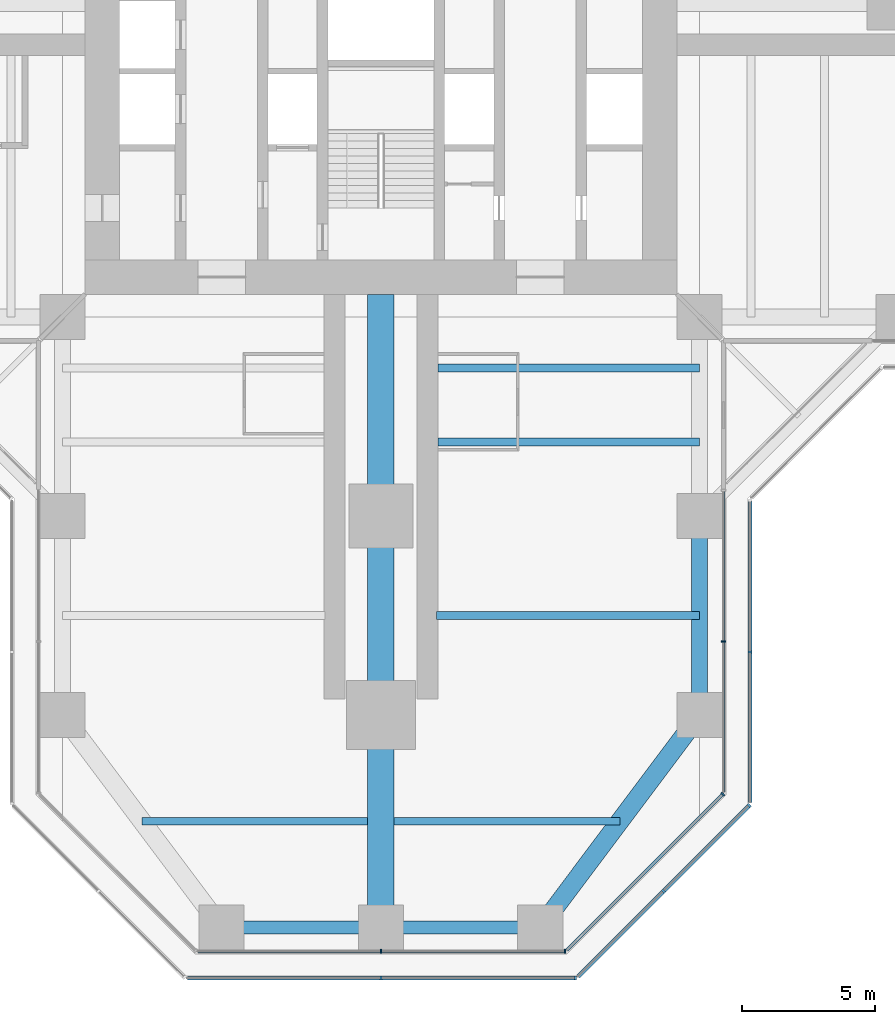
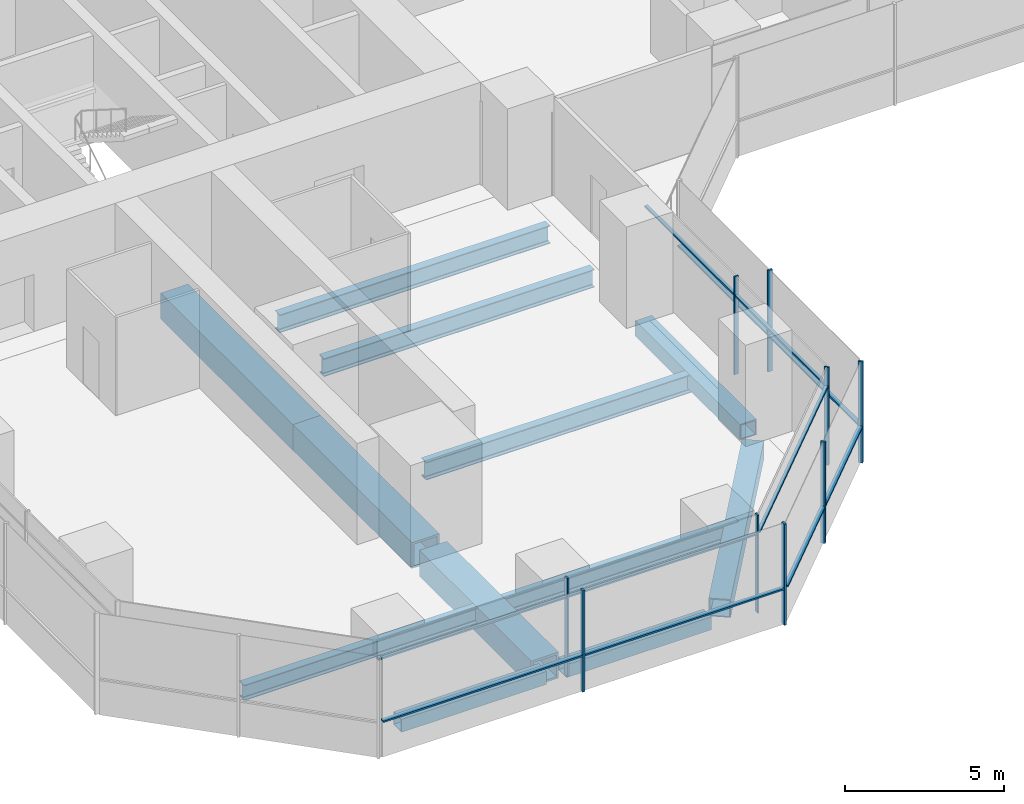
# One storey, part 5 of 22: 20 members, 12 beams, 6 elements without a shape of their own.
"""IFC4 building model written with IfcOpenShell, lengths in metres."""

import ifcopenshell
import ifcopenshell.guid

model = None  # the IFC model being written
_history = None  # IfcOwnerHistory: only IFC2X3 demands one
_inside = {}  # id of a spatial element -> (the spatial element, [elements in it])
_under = {}  # id of a project, library or spatial element -> (it, [spatial elements below it])
_declared = {}  # id of a project -> (the project, [libraries it declares])
_typed = {}  # id of a type object -> (the type object, [elements of that type])
_made_of = {}  # id of a material, layer set ... -> (it, [elements and type objects made of it])


def new_model(schema):
    """Start an empty IFC model of exactly this schema.

    Asked for "IFC4X3", IfcOpenShell would pick the latest addendum, in which some entities
    have other attributes; the version numbers below select the first issue.
    IFC2X3 requires an IfcOwnerHistory on every rooted entity: one is made here for all.
    """
    global model, _history
    if schema == "IFC4X3":
        model = ifcopenshell.file(schema_version=(4, 3, 0, 0))
    else:
        model = ifcopenshell.file(schema=schema)
    _inside.clear()
    _under.clear()
    _declared.clear()
    _typed.clear()
    _made_of.clear()
    _history = None
    if model.schema == "IFC2X3":
        org = make("IfcOrganization", Name="unknown")
        user = make(
            "IfcPersonAndOrganization",
            ThePerson=make("IfcPerson", FamilyName="unknown"),
            TheOrganization=org,
        )
        app = make(
            "IfcApplication",
            ApplicationDeveloper=org,
            Version="unknown",
            ApplicationFullName="unknown",
            ApplicationIdentifier="unknown",
        )
        _history = make(
            "IfcOwnerHistory",
            OwningUser=user,
            OwningApplication=app,
            ChangeAction="ADDED",
            CreationDate=0,
        )
    return model


def make(cls, **values):
    """One entity of the class cls with the attributes given. An attribute that is None is left unset."""
    return model.create_entity(
        cls, **{name: value for name, value in values.items() if value is not None}
    )


def rooted(cls, **values):
    """An entity with a GlobalId (a new one), such as an element, a storey or a relation."""
    return make(cls, GlobalId=ifcopenshell.guid.new(), OwnerHistory=_history, **values)


def si_unit(unit_type, name, prefix=None):
    """IfcSIUnit, for example si_unit("LENGTHUNIT", "METRE", prefix="MILLI")."""
    return make("IfcSIUnit", UnitType=unit_type, Prefix=prefix, Name=name)


def assignment(units):
    """IfcUnitAssignment: the units of a project."""
    return None if units is None else make("IfcUnitAssignment", Units=units)


def point(xyz):
    """IfcCartesianPoint."""
    return None if xyz is None else make("IfcCartesianPoint", Coordinates=xyz)


def direction(xyz):
    """IfcDirection."""
    return None if xyz is None else make("IfcDirection", DirectionRatios=xyz)


def frame(location, z_axis=None, x_axis=None):
    """IfcAxis2Placement3D, a coordinate frame: its origin and axes. An axis left out is left unset."""
    return make(
        "IfcAxis2Placement3D",
        Location=point(location),
        Axis=direction(z_axis),
        RefDirection=direction(x_axis),
    )


def frame_2d(location, x_axis=None):
    """IfcAxis2Placement2D, a coordinate frame in the plane: its origin and x axis."""
    return make(
        "IfcAxis2Placement2D", Location=point(location), RefDirection=direction(x_axis)
    )


def origin():
    """The frame at (0, 0, 0) with its axes left unset."""
    return frame((0.0, 0.0, 0.0))


def origin_2d():
    """The frame at (0, 0) in the plane with its x axis left unset."""
    return frame_2d((0.0, 0.0))


def place(relative_to, where):
    """IfcLocalPlacement: puts the frame where relative to a parent placement (None: the world)."""
    return make(
        "IfcLocalPlacement", PlacementRelTo=relative_to, RelativePlacement=where
    )


def context(
    kind, dimensions, precision=None, world=None, true_north=None, identifier=None
):
    """IfcGeometricRepresentationContext, for example the 3D "Model" context."""
    return make(
        "IfcGeometricRepresentationContext",
        ContextIdentifier=identifier,
        ContextType=kind,
        CoordinateSpaceDimension=dimensions,
        Precision=precision,
        WorldCoordinateSystem=world,
        TrueNorth=true_north,
    )


def subcontext(parent, identifier, kind, view, scale=None):
    """IfcGeometricRepresentationSubContext, for example "Body" below "Model"."""
    return make(
        "IfcGeometricRepresentationSubContext",
        ContextIdentifier=identifier,
        ContextType=kind,
        ParentContext=parent,
        TargetScale=scale,
        TargetView=view,
    )


def project(units=None, contexts=None):
    """IfcProject with its units and contexts."""
    return rooted(
        "IfcProject",
        Name="project",
        RepresentationContexts=contexts,
        UnitsInContext=assignment(units),
    )


def spatial(cls, under=None, at=None, **own):
    """A site, building, storey or space (cls), placed at a placement, below another one or the project."""
    s = rooted(cls, ObjectPlacement=at, **own)
    if under is not None:
        _under.setdefault(under.id(), (under, []))[1].append(s)
    return s


def profile(cls, at=None, kind="AREA", **sizes):
    """A parametric profile (cls). Its sizes go by their IFC names, for example OverallWidth=200.0."""
    return make(cls, ProfileType=kind, Position=at, **sizes)


def rectangle(**sizes):
    """IfcRectangleProfileDef."""
    return profile("IfcRectangleProfileDef", **sizes)


def hollow_rectangle(**sizes):
    """IfcRectangleHollowProfileDef."""
    return profile("IfcRectangleHollowProfileDef", **sizes)


def i_section(**sizes):
    """IfcIShapeProfileDef."""
    return profile("IfcIShapeProfileDef", **sizes)


def extrude(swept, where, along, depth):
    """IfcExtrudedAreaSolid: the profile swept, set in the frame where, extruded along a direction by depth."""
    return make(
        "IfcExtrudedAreaSolid",
        SweptArea=swept,
        Position=where,
        ExtrudedDirection=direction(along),
        Depth=depth,
    )


def shape(context_of_items, identifier, shape_type, items):
    """IfcShapeRepresentation: the items that make up one representation, for example the "Body"."""
    return make(
        "IfcShapeRepresentation",
        ContextOfItems=context_of_items,
        RepresentationIdentifier=identifier,
        RepresentationType=shape_type,
        Items=items,
    )


def material(Name=None, Category=None):
    """IfcMaterial."""
    return make("IfcMaterial", Name=Name, Category=Category)


def material_profile(
    of_material, cross_section, Name=None, Category=None, Priority=None
):
    """IfcMaterialProfile: a cross section and its material."""
    return make(
        "IfcMaterialProfile",
        Name=Name,
        Material=of_material,
        Profile=cross_section,
        Priority=Priority,
        Category=Category,
    )


def profile_set(profiles, Name=None, composite=None):
    """IfcMaterialProfileSet."""
    return make(
        "IfcMaterialProfileSet",
        Name=Name,
        MaterialProfiles=profiles,
        CompositeProfile=composite,
    )


def made_of(thing, what):
    """Note that an element or type object is made of a material, layer set ...; save() writes the relation."""
    if what is not None:
        _made_of.setdefault(what.id(), (what, []))[1].append(thing)
    return thing


def type_object(cls, material=None, **own):
    """A type object (cls), such as IfcWallType, which elements share."""
    return made_of(rooted(cls, **own), material)


def element(
    cls,
    number,
    at=None,
    inside=None,
    cuts=None,
    type_object=None,
    material=None,
    context=None,
    identifier="Body",
    shape_type=None,
    held_by="IfcProductDefinitionShape",
    body=None,
    shapes=None,
    **own,
):
    """One element of the class cls, such as IfcWall. Its Tag is "e" and its number.

    at: its placement. inside: the storey or other place that contains it. cuts: it is an
    opening in that element (IfcRelVoidsElement). A single representation is given by context,
    identifier, shape_type and body (its items); several are given by shapes. held_by: the class
    of the entity that holds the representations. save() writes the other relations.
    """
    e = rooted(cls, Tag="e%d" % number, ObjectPlacement=at, **own)
    if body is not None:
        shapes = [shape(context, identifier, shape_type, body)]
    if shapes is not None:
        e.Representation = make(held_by, Representations=shapes)
    if inside is not None:
        _inside.setdefault(inside.id(), (inside, []))[1].append(e)
    if cuts is not None:
        rooted(
            "IfcRelVoidsElement", RelatingBuildingElement=cuts, RelatedOpeningElement=e
        )
    if type_object is not None:
        _typed.setdefault(type_object.id(), (type_object, []))[1].append(e)
    return made_of(e, material)


def aggregate(whole, parts):
    """IfcRelAggregates: a whole, such as a stair, and the parts it consists of."""
    return rooted("IfcRelAggregates", RelatingObject=whole, RelatedObjects=parts)


def save(model, path):
    """Write the relations noted so far, then the file.

    IfcRelAggregates (storeys below a building ...), IfcRelContainedInSpatialStructure (elements
    in a storey), IfcRelDefinesByType, IfcRelAssociatesMaterial and IfcRelDeclares: one each for
    every whole, place, type object, material and project.
    """
    for whole, parts in _under.values():
        aggregate(whole, parts)
    for where, things in _inside.values():
        rooted(
            "IfcRelContainedInSpatialStructure",
            RelatedElements=things,
            RelatingStructure=where,
        )
    for kind, things in _typed.values():
        rooted("IfcRelDefinesByType", RelatedObjects=things, RelatingType=kind)
    for what, things in _made_of.values():
        rooted("IfcRelAssociatesMaterial", RelatedObjects=things, RelatingMaterial=what)
    for by, libraries in _declared.values():
        rooted("IfcRelDeclares", RelatingContext=by, RelatedDefinitions=libraries)
    model.write(path)


model = new_model("IFC4")

# Units and contexts
model_context = context("Model", 3, precision=1e-05, world=origin(), true_north=direction((0.0, 1.0)))
body_context = subcontext(model_context, "Body", "Model", "MODEL_VIEW")
ifc_project = project(units=[si_unit("LENGTHUNIT", "METRE"), si_unit("AREAUNIT", "SQUARE_METRE"), si_unit("VOLUMEUNIT", "CUBIC_METRE"), si_unit("PLANEANGLEUNIT", "RADIAN"), si_unit("MASSUNIT", "GRAM", prefix="KILO")], contexts=[model_context])

# Site, building, storey
site_placement = place(None, origin())
site = spatial("IfcSite", under=ifc_project, at=site_placement, CompositionType="ELEMENT")
building_placement = place(site_placement, origin())
building = spatial("IfcBuilding", under=site, at=building_placement, Name="Mizan Broadcast Tower", CompositionType="ELEMENT")
storey_placement = place(building_placement, frame((0.0, 0.0, 43.5)))
storey = spatial("IfcBuildingStorey", under=building, at=storey_placement, Name="L07", CompositionType="ELEMENT", Elevation=43.5)

# Beams
ifc_material_1 = material(Name="Steel S355", Category="steel")
ifc_material_profile_1 = material_profile(ifc_material_1, hollow_rectangle(XDim=0.5, YDim=0.5, WallThickness=0.030029296875, at=origin_2d()), Name="BOX 500x500x30")
ifc_profile_set_1 = profile_set([ifc_material_profile_1], Name="Steel S355")
beam_type_1 = type_object("IfcBeamType", Name="EDGE BEAM BOX 500x500x30", PredefinedType="SPANDREL", material=ifc_profile_set_1)
for number, where, z_axis, x_axis, name in (
    (1, (-5.639892578125, -35.0, -0.3798828125), (1.0, 0.0, 0.0), (0.0, 1.0, 0.0), "Edge beam BOX 500x500x30 L07 south arm"),
    (2, (5.639892578125, -35.0, -0.3798828125), (-1.0, 0.0, 0.0), (0.0, -1.0, 0.0), "Edge beam BOX 500x500x30 L07 south arm"),
):
    element("IfcBeam", number, at=place(storey_placement, frame(where, z_axis=z_axis, x_axis=x_axis)), inside=storey, type_object=beam_type_1, Name=name, PredefinedType="SPANDREL", context=body_context, shape_type="SweptSolid", body=[
        extrude(hollow_rectangle(XDim=0.5, YDim=0.5, WallThickness=0.030029296875, at=origin_2d()), origin(), (0.0, 0.0, 1.0), 5.27978515625),
    ])
ifc_material_2 = material(Name="Steel S355", Category="steel")
ifc_material_profile_2 = material_profile(ifc_material_2, hollow_rectangle(XDim=0.60009765625, YDim=0.60009765625, WallThickness=0.0400390625, at=origin_2d()), Name="BOX 600x600x40")
ifc_profile_set_2 = profile_set([ifc_material_profile_2], Name="Steel S355")
beam_type_2 = type_object("IfcBeamType", Name="EDGE BEAM BOX 600x600x40", PredefinedType="SPANDREL", material=ifc_profile_set_2)
beam_1_placement = place(storey_placement, frame((12.0, -19.949951171875, -0.429931640625), z_axis=(0.0, -1.0, 0.0), x_axis=(1.0, 0.0, 0.0)))
element("IfcBeam", 3, at=beam_1_placement, inside=storey, type_object=beam_type_2, Name="Edge beam BOX 600x600x40 L07 south arm", PredefinedType="SPANDREL", context=body_context, shape_type="SweptSolid", body=[
    extrude(hollow_rectangle(XDim=0.60009765625, YDim=0.60009765625, WallThickness=0.0400390625, at=origin_2d()), origin(), (0.0, 0.0, 1.0), 6.60009765625),
])
ifc_material_3 = material(Name="Steel S355", Category="steel")
ifc_material_profile_3 = material_profile(ifc_material_3, hollow_rectangle(XDim=0.699951171875, YDim=0.699951171875, WallThickness=0.0400390625, at=origin_2d()), Name="BOX 700x700x40")
ifc_profile_set_3 = profile_set([ifc_material_profile_3], Name="Steel S355")
beam_type_3 = type_object("IfcBeamType", Name="EDGE BEAM BOX 700x700x40", PredefinedType="SPANDREL", material=ifc_profile_set_3)
beam_2_placement = place(storey_placement, frame((11.639892578125, -27.47998046875, -0.47998046875), z_axis=(-0.599982243973, -0.800013316712, 0.0), x_axis=(0.800013316712, -0.599982243973, 0.0)))
element("IfcBeam", 4, at=beam_2_placement, inside=storey, type_object=beam_type_3, Name="Edge beam BOX 700x700x40 L07 south arm", PredefinedType="SPANDREL", context=body_context, shape_type="SweptSolid", body=[
    extrude(hollow_rectangle(XDim=0.699951171875, YDim=0.699951171875, WallThickness=0.0400390625, at=origin_2d()), origin(), (0.0, 0.0, 1.0), 8.7998046875),
])
ifc_material_4 = material(Name="Steel S460", Category="steel")
ifc_material_profile_4 = material_profile(ifc_material_4, hollow_rectangle(XDim=1.0, YDim=1.0, WallThickness=0.080078125, at=origin_2d()), Name="BOX 1000x1000x80")
ifc_profile_set_4 = profile_set([ifc_material_profile_4], Name="Steel S460")
beam_type_4 = type_object("IfcBeamType", Name="GIRDER BOX 1000x1000x80", PredefinedType="BEAM", material=ifc_profile_set_4)
beam_3_placement = place(storey_placement, frame((0.0, -27.47998046875, -0.6298828125), z_axis=(0.0, -1.0, 0.0), x_axis=(1.0, 0.0, 0.0)))
element("IfcBeam", 5, at=beam_3_placement, inside=storey, type_object=beam_type_4, Name="Girder BOX 1000x1000x80 L07 south arm", PredefinedType="BEAM", context=body_context, shape_type="SweptSolid", body=[
    extrude(hollow_rectangle(XDim=1.0, YDim=1.0, WallThickness=0.080078125, at=origin_2d()), origin(), (0.0, 0.0, 1.0), 7.0400390625),
])

# Curtain wall, members
ifc_material_5 = material(Name="Aluminium framed glazing", Category="aluminium")
curtain_wall_type_1 = type_object("IfcCurtainWallType", Name="INNER SKIN LOW ZONE", PredefinedType="USERDEFINED", material=ifc_material_5)
curtain_wall_1_placement = place(storey_placement, origin())
curtain_wall_1 = element("IfcCurtainWall", 6, at=curtain_wall_1_placement, inside=storey, type_object=curtain_wall_type_1, Name="Inner skin low zone L07 S end", ObjectType="INNER SKIN LOW ZONE", PredefinedType="USERDEFINED")
ifc_material_6 = material(Name="Aluminium, pale anodised", Category="aluminium")
ifc_material_profile_5 = material_profile(ifc_material_6, rectangle(XDim=0.159912109375, YDim=0.06005859375, at=origin_2d()), Name="MULLION 160x60")
ifc_profile_set_5 = profile_set([ifc_material_profile_5], Name="Aluminium, pale anodised")
member_type_1 = type_object("IfcMemberType", Name="INNER SKIN MULLION 60x160", PredefinedType="MULLION", material=ifc_profile_set_5)
member_1_placement = place(storey_placement, frame((0.0, -35.89990234375, 0.0), z_axis=(0.0, 0.0, 1.0), x_axis=(0.0, 1.0, 0.0)))
member_1 = element("IfcMember", 7, at=member_1_placement, type_object=member_type_1, Name="Inner skin low zone L07 S end mullion 2", PredefinedType="MULLION", context=body_context, shape_type="SweptSolid", body=[
    extrude(rectangle(XDim=0.159912109375, YDim=0.06005859375, at=origin_2d()), origin(), (0.0, 0.0, 1.0), 3.77001953125),
])
member_2_placement = place(storey_placement, frame((6.928466796875, -35.89990234375, 0.0), z_axis=(0.0, 0.0, 1.0), x_axis=(0.0, 1.0, 0.0)))
member_2 = element("IfcMember", 8, at=member_2_placement, type_object=member_type_1, Name="Inner skin low zone L07 S end mullion 3", PredefinedType="MULLION", context=body_context, shape_type="SweptSolid", body=[
    extrude(rectangle(XDim=0.159912109375, YDim=0.06005859375, at=origin_2d()), origin(), (0.0, 0.0, 1.0), 3.77001953125),
])

# Curtain wall, member
curtain_wall_2_placement = place(storey_placement, origin())
curtain_wall_2 = element("IfcCurtainWall", 9, at=curtain_wall_2_placement, inside=storey, type_object=curtain_wall_type_1, Name="Inner skin low zone L07 S chamfer", ObjectType="INNER SKIN LOW ZONE", PredefinedType="USERDEFINED")
member_3_placement = place(storey_placement, frame((12.87890625, -29.979736328125, 0.0), z_axis=(0.0, 0.0, 1.0), x_axis=(-0.707106781187, 0.707106781187, 0.0)))
member_3 = element("IfcMember", 10, at=member_3_placement, type_object=member_type_1, Name="Inner skin low zone L07 S chamfer mullion 2", PredefinedType="MULLION", context=body_context, shape_type="SweptSolid", body=[
    extrude(rectangle(XDim=0.159912109375, YDim=0.06005859375, at=origin_2d()), origin(), (0.0, 0.0, 1.0), 3.77001953125),
])

curtain_wall_3_placement = place(storey_placement, origin())
curtain_wall_3 = element("IfcCurtainWall", 11, at=curtain_wall_3_placement, inside=storey, type_object=curtain_wall_type_1, Name="Inner skin low zone L07 S side", ObjectType="INNER SKIN LOW ZONE", PredefinedType="USERDEFINED")
member_4_placement = place(storey_placement, frame((12.89990234375, -24.229248046875, 0.0), z_axis=(0.0, 0.0, 1.0), x_axis=(-1.0, 0.0, 0.0)))
member_4 = element("IfcMember", 12, at=member_4_placement, type_object=member_type_1, Name="Inner skin low zone L07 S side mullion 2", PredefinedType="MULLION", context=body_context, shape_type="SweptSolid", body=[
    extrude(rectangle(XDim=0.159912109375, YDim=0.06005859375, at=origin_2d()), origin(), (0.0, 0.0, 1.0), 3.77001953125),
])

# Member
ifc_material_7 = material(Name="Aluminium, pale anodised", Category="aluminium")
ifc_material_profile_6 = material_profile(ifc_material_7, rectangle(XDim=0.1201171875, YDim=0.06005859375, at=origin_2d()), Name="TRANSOM 120x60")
ifc_profile_set_6 = profile_set([ifc_material_profile_6], Name="Aluminium, pale anodised")
member_type_2 = type_object("IfcMemberType", Name="INNER SKIN TRANSOM 60x120", PredefinedType="USERDEFINED", material=ifc_profile_set_6)
member_5_placement = place(storey_placement, frame((-6.898681640625, -35.89990234375, 3.030029296875), z_axis=(1.0, 0.0, 0.0), x_axis=(0.0, 1.0, 0.0)))
member_5 = element("IfcMember", 13, at=member_5_placement, type_object=member_type_2, Name="Inner skin low zone L07 S end transom 1.1", ObjectType="TRANSOM", PredefinedType="USERDEFINED", context=body_context, shape_type="SweptSolid", body=[
    extrude(rectangle(XDim=0.1201171875, YDim=0.06005859375, at=origin_2d()), origin(), (0.0, 0.0, 1.0), 6.86865234375),
])

member_6_placement = place(storey_placement, frame((0.030029296875, -35.89990234375, 3.030029296875), z_axis=(1.0, 0.0, 0.0), x_axis=(0.0, 1.0, 0.0)))
member_6 = element("IfcMember", 14, at=member_6_placement, type_object=member_type_2, Name="Inner skin low zone L07 S end transom 2.1", ObjectType="TRANSOM", PredefinedType="USERDEFINED", context=body_context, shape_type="SweptSolid", body=[
    extrude(rectangle(XDim=0.1201171875, YDim=0.06005859375, at=origin_2d()), origin(), (0.0, 0.0, 1.0), 6.86865234375),
])

aggregate(curtain_wall_1, [member_1, member_2, member_5, member_6])

member_7_placement = place(storey_placement, frame((7.0009765625, -35.857666015625, 3.030029296875), z_axis=(0.707106781187, 0.707106781187, 0.0), x_axis=(-0.707106781187, 0.707106781187, 0.0)))
member_7 = element("IfcMember", 15, at=member_7_placement, type_object=member_type_2, Name="Inner skin low zone L07 S chamfer transom 1.1", ObjectType="TRANSOM", PredefinedType="USERDEFINED", context=body_context, shape_type="SweptSolid", body=[
    extrude(rectangle(XDim=0.1201171875, YDim=0.06005859375, at=origin_2d()), origin(), (0.0, 0.0, 1.0), 8.28271484375),
])

aggregate(curtain_wall_2, [member_3, member_7])

member_8_placement = place(storey_placement, frame((12.89990234375, -29.898681640625, 3.030029296875), z_axis=(0.0, 1.0, 0.0), x_axis=(-1.0, 0.0, 0.0)))
member_8 = element("IfcMember", 16, at=member_8_placement, type_object=member_type_2, Name="Inner skin low zone L07 S side transom 1.1", ObjectType="TRANSOM", PredefinedType="USERDEFINED", context=body_context, shape_type="SweptSolid", body=[
    extrude(rectangle(XDim=0.1201171875, YDim=0.06005859375, at=origin_2d()), origin(), (0.0, 0.0, 1.0), 5.639404296875),
])

member_9_placement = place(storey_placement, frame((12.89990234375, -24.19921875, 3.030029296875), z_axis=(0.0, 1.0, 0.0), x_axis=(-1.0, 0.0, 0.0)))
member_9 = element("IfcMember", 17, at=member_9_placement, type_object=member_type_2, Name="Inner skin low zone L07 S side transom 2.1", ObjectType="TRANSOM", PredefinedType="USERDEFINED", context=body_context, shape_type="SweptSolid", body=[
    extrude(rectangle(XDim=0.1201171875, YDim=0.06005859375, at=origin_2d()), origin(), (0.0, 0.0, 1.0), 5.63916015625),
])

aggregate(curtain_wall_3, [member_4, member_8, member_9])

# Curtain wall, members
ifc_material_8 = material(Name="Aluminium framed glazing", Category="aluminium")
curtain_wall_type_2 = type_object("IfcCurtainWallType", Name="OUTER SKIN", PredefinedType="USERDEFINED", material=ifc_material_8)
curtain_wall_4_placement = place(storey_placement, origin())
curtain_wall_4 = element("IfcCurtainWall", 18, at=curtain_wall_4_placement, inside=storey, type_object=curtain_wall_type_2, Name="Outer skin L07 S end", ObjectType="OUTER SKIN", PredefinedType="USERDEFINED")
ifc_material_9 = material(Name="Aluminium, pale anodised", Category="aluminium")
ifc_material_profile_7 = material_profile(ifc_material_9, rectangle(XDim=0.159912109375, YDim=0.080078125, at=origin_2d()), Name="MULLION 160x80")
ifc_profile_set_7 = profile_set([ifc_material_profile_7], Name="Aluminium, pale anodised")
member_type_3 = type_object("IfcMemberType", Name="OUTER SKIN MULLION 80x160", PredefinedType="MULLION", material=ifc_profile_set_7)
member_10_placement = place(storey_placement, frame((0.0, -36.89990234375, 0.0), z_axis=(0.0, 0.0, 1.0), x_axis=(0.0, 1.0, 0.0)))
member_10 = element("IfcMember", 19, at=member_10_placement, type_object=member_type_3, Name="Outer skin L07 S end mullion 2", PredefinedType="MULLION", context=body_context, shape_type="SweptSolid", body=[
    extrude(rectangle(XDim=0.159912109375, YDim=0.080078125, at=origin_2d()), origin(), (0.0, 0.0, 1.0), 3.89990234375),
])
member_11_placement = place(storey_placement, frame((7.332763671875, -36.89990234375, 0.0), z_axis=(0.0, 0.0, 1.0), x_axis=(0.0, 1.0, 0.0)))
member_11 = element("IfcMember", 20, at=member_11_placement, type_object=member_type_3, Name="Outer skin L07 S end mullion 3", PredefinedType="MULLION", context=body_context, shape_type="SweptSolid", body=[
    extrude(rectangle(XDim=0.159912109375, YDim=0.080078125, at=origin_2d()), origin(), (0.0, 0.0, 1.0), 3.89990234375),
])

curtain_wall_5_placement = place(storey_placement, origin())
curtain_wall_5 = element("IfcCurtainWall", 21, at=curtain_wall_5_placement, inside=storey, type_object=curtain_wall_type_2, Name="Outer skin L07 S chamfer", ObjectType="OUTER SKIN", PredefinedType="USERDEFINED")
member_12_placement = place(storey_placement, frame((10.636474609375, -33.636474609375, 0.0), z_axis=(0.0, 0.0, 1.0), x_axis=(-0.707106781187, 0.707106781187, 0.0)))
member_12 = element("IfcMember", 22, at=member_12_placement, type_object=member_type_3, Name="Outer skin L07 S chamfer mullion 2", PredefinedType="MULLION", context=body_context, shape_type="SweptSolid", body=[
    extrude(rectangle(XDim=0.159912109375, YDim=0.080078125, at=origin_2d()), origin(), (0.0, 0.0, 1.0), 3.89990234375),
])
member_13_placement = place(storey_placement, frame((13.871826171875, -30.401123046875, 0.0), z_axis=(0.0, 0.0, 1.0), x_axis=(-0.707106781187, 0.707106781187, 0.0)))
member_13 = element("IfcMember", 23, at=member_13_placement, type_object=member_type_3, Name="Outer skin L07 S chamfer mullion 3", PredefinedType="MULLION", context=body_context, shape_type="SweptSolid", body=[
    extrude(rectangle(XDim=0.159912109375, YDim=0.080078125, at=origin_2d()), origin(), (0.0, 0.0, 1.0), 3.89990234375),
])

# Curtain wall, member
curtain_wall_6_placement = place(storey_placement, origin())
curtain_wall_6 = element("IfcCurtainWall", 24, at=curtain_wall_6_placement, inside=storey, type_object=curtain_wall_type_2, Name="Outer skin L07 S side", ObjectType="OUTER SKIN", PredefinedType="USERDEFINED")
member_14_placement = place(storey_placement, frame((13.89990234375, -24.622802734375, 0.0), z_axis=(0.0, 0.0, 1.0), x_axis=(-1.0, 0.0, 0.0)))
member_14 = element("IfcMember", 25, at=member_14_placement, type_object=member_type_3, Name="Outer skin L07 S side mullion 2", PredefinedType="MULLION", context=body_context, shape_type="SweptSolid", body=[
    extrude(rectangle(XDim=0.159912109375, YDim=0.080078125, at=origin_2d()), origin(), (0.0, 0.0, 1.0), 3.89990234375),
])

# Member
ifc_material_10 = material(Name="Aluminium, pale anodised", Category="aluminium")
ifc_material_profile_8 = material_profile(ifc_material_10, rectangle(XDim=0.159912109375, YDim=0.06005859375, at=origin_2d()), Name="TRANSOM 160x60")
ifc_profile_set_8 = profile_set([ifc_material_profile_8], Name="Aluminium, pale anodised")
member_type_4 = type_object("IfcMemberType", Name="OUTER SKIN TRANSOM 60x160", PredefinedType="USERDEFINED", material=ifc_profile_set_8)
member_15_placement = place(storey_placement, frame((-7.292724609375, -36.89990234375, 1.39990234375), z_axis=(1.0, 0.0, 0.0), x_axis=(0.0, 1.0, 0.0)))
member_15 = element("IfcMember", 26, at=member_15_placement, type_object=member_type_4, Name="Outer skin L07 S end transom 1.1", ObjectType="TRANSOM", PredefinedType="USERDEFINED", context=body_context, shape_type="SweptSolid", body=[
    extrude(rectangle(XDim=0.159912109375, YDim=0.06005859375, at=origin_2d()), origin(), (0.0, 0.0, 1.0), 7.252685546875),
])

member_16_placement = place(storey_placement, frame((0.0400390625, -36.89990234375, 1.39990234375), z_axis=(1.0, 0.0, 0.0), x_axis=(0.0, 1.0, 0.0)))
member_16 = element("IfcMember", 27, at=member_16_placement, type_object=member_type_4, Name="Outer skin L07 S end transom 2.1", ObjectType="TRANSOM", PredefinedType="USERDEFINED", context=body_context, shape_type="SweptSolid", body=[
    extrude(rectangle(XDim=0.159912109375, YDim=0.06005859375, at=origin_2d()), origin(), (0.0, 0.0, 1.0), 7.252685546875),
])

aggregate(curtain_wall_4, [member_10, member_11, member_15, member_16])

member_17_placement = place(storey_placement, frame((7.429443359375, -36.843505859375, 1.39990234375), z_axis=(0.707106781187, 0.707106781187, 0.0), x_axis=(-0.707106781187, 0.707106781187, 0.0)))
member_17 = element("IfcMember", 28, at=member_17_placement, type_object=member_type_4, Name="Outer skin L07 S chamfer transom 1.1", ObjectType="TRANSOM", PredefinedType="USERDEFINED", context=body_context, shape_type="SweptSolid", body=[
    extrude(rectangle(XDim=0.159912109375, YDim=0.06005859375, at=origin_2d()), origin(), (0.0, 0.0, 1.0), 4.495361328125),
])

member_18_placement = place(storey_placement, frame((10.664794921875, -33.608154296875, 1.39990234375), z_axis=(0.707106781187, 0.707106781187, 0.0), x_axis=(-0.707106781187, 0.707106781187, 0.0)))
member_18 = element("IfcMember", 29, at=member_18_placement, type_object=member_type_4, Name="Outer skin L07 S chamfer transom 2.1", ObjectType="TRANSOM", PredefinedType="USERDEFINED", context=body_context, shape_type="SweptSolid", body=[
    extrude(rectangle(XDim=0.159912109375, YDim=0.06005859375, at=origin_2d()), origin(), (0.0, 0.0, 1.0), 4.495361328125),
])

aggregate(curtain_wall_5, [member_12, member_13, member_17, member_18])

member_19_placement = place(storey_placement, frame((13.89990234375, -30.292724609375, 1.39990234375), z_axis=(0.0, 1.0, 0.0), x_axis=(-1.0, 0.0, 0.0)))
member_19 = element("IfcMember", 30, at=member_19_placement, type_object=member_type_4, Name="Outer skin L07 S side transom 1.1", ObjectType="TRANSOM", PredefinedType="USERDEFINED", context=body_context, shape_type="SweptSolid", body=[
    extrude(rectangle(XDim=0.159912109375, YDim=0.06005859375, at=origin_2d()), origin(), (0.0, 0.0, 1.0), 5.6298828125),
])

member_20_placement = place(storey_placement, frame((13.89990234375, -24.582763671875, 1.39990234375), z_axis=(0.0, 1.0, 0.0), x_axis=(-1.0, 0.0, 0.0)))
member_20 = element("IfcMember", 31, at=member_20_placement, type_object=member_type_4, Name="Outer skin L07 S side transom 2.1", ObjectType="TRANSOM", PredefinedType="USERDEFINED", context=body_context, shape_type="SweptSolid", body=[
    extrude(rectangle(XDim=0.159912109375, YDim=0.06005859375, at=origin_2d()), origin(), (0.0, 0.0, 1.0), 5.6298828125),
])

aggregate(curtain_wall_6, [member_14, member_19, member_20])

# Beams
ifc_material_11 = material(Name="Steel S460", Category="steel")
ifc_material_profile_9 = material_profile(ifc_material_11, hollow_rectangle(XDim=1.0, YDim=1.0, WallThickness=0.080078125, at=origin_2d()), Name="BOX 1000x1000x80")
ifc_profile_set_9 = profile_set([ifc_material_profile_9], Name="Steel S460")
beam_type_5 = type_object("IfcBeamType", Name="OUTRIGGER TRUSS OT1 CHORD BOX 1000x1000x80", PredefinedType="BEAM", material=ifc_profile_set_9)
beam_4_placement = place(storey_placement, frame((0.0, -11.14990234375, -0.6298828125), z_axis=(0.0, -1.0, 0.0), x_axis=(1.0, 0.0, 0.0)))
element("IfcBeam", 32, at=beam_4_placement, inside=storey, type_object=beam_type_5, Name="Outrigger truss OT1-S top chord 1", PredefinedType="BEAM", context=body_context, shape_type="SweptSolid", body=[
    extrude(hollow_rectangle(XDim=1.0, YDim=1.0, WallThickness=0.080078125, at=origin_2d()), origin(), (0.0, 0.0, 1.0), 8.35009765625),
])
beam_5_placement = place(storey_placement, frame((0.0, -19.5, -0.6298828125), z_axis=(0.0, -1.0, 0.0), x_axis=(1.0, 0.0, 0.0)))
element("IfcBeam", 33, at=beam_5_placement, inside=storey, type_object=beam_type_5, Name="Outrigger truss OT1-S top chord 2", PredefinedType="BEAM", context=body_context, shape_type="SweptSolid", body=[
    extrude(hollow_rectangle(XDim=1.0, YDim=1.0, WallThickness=0.080078125, at=origin_2d()), origin(), (0.0, 0.0, 1.0), 7.5),
])
ifc_material_12 = material(Name="Steel S355", Category="steel")
ifc_material_profile_10 = material_profile(ifc_material_12, i_section(OverallWidth=0.300048828125, OverallDepth=0.590087890625, WebThickness=0.012939453125, FlangeThickness=0.02490234375, FilletRadius=0.027099609375, at=origin_2d()), Name="HEA 600")
ifc_profile_set_10 = profile_set([ifc_material_profile_10], Name="Steel S355")
beam_type_6 = type_object("IfcBeamType", Name="SECONDARY BEAM HEA 600", PredefinedType="JOIST", material=ifc_profile_set_10)
for number, where, z_axis, x_axis, name in (
    (34, (-9.0, -31.0, -0.425048828125), (1.0, 0.0, 0.0), (0.0, 1.0, 0.0), "Secondary beam HEA 600 L07 south arm"),
    (35, (9.0, -31.0, -0.425048828125), (-1.0, 0.0, 0.0), (0.0, -1.0, 0.0), "Secondary beam HEA 600 L07 south arm"),
):
    element("IfcBeam", number, at=place(storey_placement, frame(where, z_axis=z_axis, x_axis=x_axis)), inside=storey, type_object=beam_type_6, Name=name, PredefinedType="JOIST", context=body_context, shape_type="SweptSolid", body=[
        extrude(i_section(OverallWidth=0.300048828125, OverallDepth=0.590087890625, WebThickness=0.012939453125, FlangeThickness=0.02490234375, FilletRadius=0.027099609375, at=origin_2d()), origin(), (0.0, 0.0, 1.0), 8.5),
    ])
ifc_material_13 = material(Name="Steel S355", Category="steel")
ifc_material_profile_11 = material_profile(ifc_material_13, i_section(OverallWidth=0.300048828125, OverallDepth=0.68994140625, WebThickness=0.014404296875, FlangeThickness=0.027099609375, FilletRadius=0.027099609375, at=origin_2d()), Name="HEA 700")
ifc_profile_set_11 = profile_set([ifc_material_profile_11], Name="Steel S355")
beam_type_7 = type_object("IfcBeamType", Name="SECONDARY BEAM HEA 700", PredefinedType="JOIST", material=ifc_profile_set_11)
for number, where, z_axis, x_axis, name in (
    (36, (12.0, -13.933349609375, -0.47509765625), (-1.0, 0.0, 0.0), (0.0, -1.0, 0.0), "Secondary beam HEA 700 L07 south arm"),
    (37, (12.0, -16.716552734375, -0.47509765625), (-1.0, 0.0, 0.0), (0.0, -1.0, 0.0), "Secondary beam HEA 700 L07 south arm"),
):
    element("IfcBeam", number, at=place(storey_placement, frame(where, z_axis=z_axis, x_axis=x_axis)), inside=storey, type_object=beam_type_7, Name=name, PredefinedType="JOIST", context=body_context, shape_type="SweptSolid", body=[
        extrude(i_section(OverallWidth=0.300048828125, OverallDepth=0.68994140625, WebThickness=0.014404296875, FlangeThickness=0.027099609375, FilletRadius=0.027099609375, at=origin_2d()), origin(), (0.0, 0.0, 1.0), 9.85009765625),
    ])
beam_6_placement = place(storey_placement, frame((12.0, -23.25, -0.47509765625), z_axis=(-1.0, 0.0, 0.0), x_axis=(0.0, -1.0, 0.0)))
element("IfcBeam", 38, at=beam_6_placement, inside=storey, type_object=beam_type_7, Name="Secondary beam HEA 700 L07 south arm", PredefinedType="JOIST", context=body_context, shape_type="SweptSolid", body=[
    extrude(i_section(OverallWidth=0.300048828125, OverallDepth=0.68994140625, WebThickness=0.014404296875, FlangeThickness=0.027099609375, FilletRadius=0.027099609375, at=origin_2d()), origin(), (0.0, 0.0, 1.0), 9.89990234375),
])

save(model, "model.ifc")
